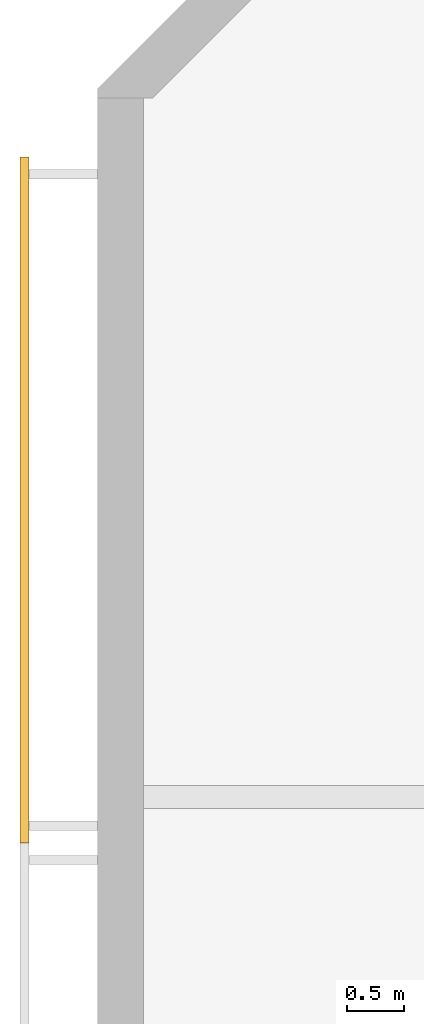
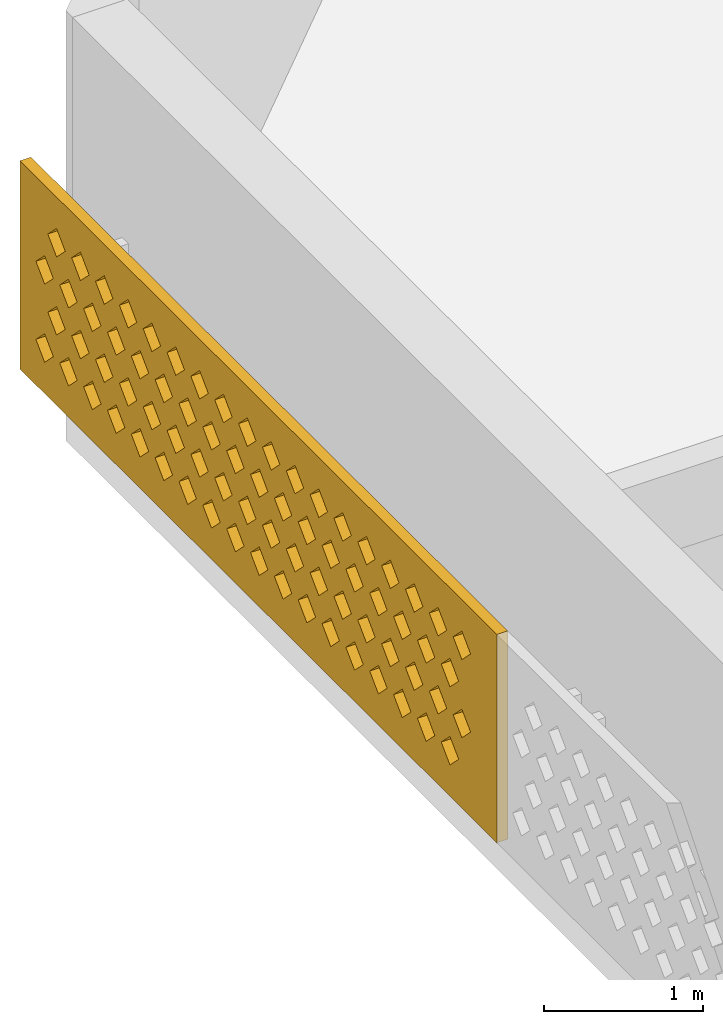
# One storey, part 12 of 18: 1 covering.
"""IFC4 building model written with IfcOpenShell, lengths in metres."""

from ifc_helpers import new_model, si_unit, direction, frame, origin, place, context, subcontext, project, spatial, polyline, outline, extrude, source, transform, mapped, material, material_profile, profile_set, type_object, element, save


model = new_model("IFC4")

# Units and contexts
model_context = context("Model", 3, precision=1e-05, world=origin(), true_north=direction((0.0, 1.0)))
body_context = subcontext(model_context, "Body", "Model", "MODEL_VIEW")
ifc_project = project(units=[si_unit("LENGTHUNIT", "METRE"), si_unit("AREAUNIT", "SQUARE_METRE"), si_unit("VOLUMEUNIT", "CUBIC_METRE"), si_unit("PLANEANGLEUNIT", "RADIAN"), si_unit("MASSUNIT", "GRAM", prefix="KILO")], contexts=[model_context])

# Site, building, storey
site_placement = place(None, origin())
site = spatial("IfcSite", under=ifc_project, at=site_placement, CompositionType="ELEMENT")
building_placement = place(site_placement, origin())
building = spatial("IfcBuilding", under=site, at=building_placement, Name="Poui Terraces", CompositionType="ELEMENT")
storey_placement = place(building_placement, frame((0.0, 0.0, 272.39990234375)))
storey = spatial("IfcBuildingStorey", under=building, at=storey_placement, Name="L75 CROWN", CompositionType="ELEMENT", Elevation=272.39990234375)

# Covering
ifc_material = material(Name="Terracotta screen", Category="masonry")
ifc_material_profile = material_profile(ifc_material, outline(polyline([(-3.0, -0.800048828125), (3.0, -0.800048828125), (3.0, 0.800048828125), (-3.0, 0.800048828125), (-3.0, -0.800048828125)]), holes=[polyline([(-2.800048828125, -0.449951171875), (-2.68994140625, -0.56005859375), (-2.580078125, -0.449951171875), (-2.68994140625, -0.340087890625), (-2.800048828125, -0.449951171875)]), polyline([(-2.5, -0.449951171875), (-2.389892578125, -0.56005859375), (-2.280029296875, -0.449951171875), (-2.389892578125, -0.340087890625), (-2.5, -0.449951171875)]), polyline([(-2.199951171875, -0.449951171875), (-2.090087890625, -0.56005859375), (-1.97998046875, -0.449951171875), (-2.090087890625, -0.340087890625), (-2.199951171875, -0.449951171875)]), polyline([(-1.89990234375, -0.449951171875), (-1.7900390625, -0.56005859375), (-1.679931640625, -0.449951171875), (-1.7900390625, -0.340087890625), (-1.89990234375, -0.449951171875)]), polyline([(-1.60009765625, -0.449951171875), (-1.489990234375, -0.56005859375), (-1.3798828125, -0.449951171875), (-1.489990234375, -0.340087890625), (-1.60009765625, -0.449951171875)]), polyline([(-1.300048828125, -0.449951171875), (-1.18994140625, -0.56005859375), (-1.080078125, -0.449951171875), (-1.18994140625, -0.340087890625), (-1.300048828125, -0.449951171875)]), polyline([(-1.0, -0.449951171875), (-0.889892578125, -0.56005859375), (-0.780029296875, -0.449951171875), (-0.889892578125, -0.340087890625), (-1.0, -0.449951171875)]), polyline([(-0.699951171875, -0.449951171875), (-0.590087890625, -0.56005859375), (-0.47998046875, -0.449951171875), (-0.590087890625, -0.340087890625), (-0.699951171875, -0.449951171875)]), polyline([(-0.39990234375, -0.449951171875), (-0.2900390625, -0.56005859375), (-0.179931640625, -0.449951171875), (-0.2900390625, -0.340087890625), (-0.39990234375, -0.449951171875)]), polyline([(-0.10009765625, -0.449951171875), (0.010009765625, -0.56005859375), (0.1201171875, -0.449951171875), (0.010009765625, -0.340087890625), (-0.10009765625, -0.449951171875)]), polyline([(0.199951171875, -0.449951171875), (0.31005859375, -0.56005859375), (0.419921875, -0.449951171875), (0.31005859375, -0.340087890625), (0.199951171875, -0.449951171875)]), polyline([(0.5, -0.449951171875), (0.610107421875, -0.56005859375), (0.719970703125, -0.449951171875), (0.610107421875, -0.340087890625), (0.5, -0.449951171875)]), polyline([(0.800048828125, -0.449951171875), (0.909912109375, -0.56005859375), (1.02001953125, -0.449951171875), (0.909912109375, -0.340087890625), (0.800048828125, -0.449951171875)]), polyline([(1.10009765625, -0.449951171875), (1.2099609375, -0.56005859375), (1.320068359375, -0.449951171875), (1.2099609375, -0.340087890625), (1.10009765625, -0.449951171875)]), polyline([(1.39990234375, -0.449951171875), (1.510009765625, -0.56005859375), (1.6201171875, -0.449951171875), (1.510009765625, -0.340087890625), (1.39990234375, -0.449951171875)]), polyline([(1.699951171875, -0.449951171875), (1.81005859375, -0.56005859375), (1.919921875, -0.449951171875), (1.81005859375, -0.340087890625), (1.699951171875, -0.449951171875)]), polyline([(2.0, -0.449951171875), (2.110107421875, -0.56005859375), (2.219970703125, -0.449951171875), (2.110107421875, -0.340087890625), (2.0, -0.449951171875)]), polyline([(2.300048828125, -0.449951171875), (2.409912109375, -0.56005859375), (2.52001953125, -0.449951171875), (2.409912109375, -0.340087890625), (2.300048828125, -0.449951171875)]), polyline([(-2.64990234375, -0.14990234375), (-2.5400390625, -0.260009765625), (-2.429931640625, -0.14990234375), (-2.5400390625, -0.0400390625), (-2.64990234375, -0.14990234375)]), polyline([(-2.35009765625, -0.14990234375), (-2.239990234375, -0.260009765625), (-2.1298828125, -0.14990234375), (-2.239990234375, -0.0400390625), (-2.35009765625, -0.14990234375)]), polyline([(-2.050048828125, -0.14990234375), (-1.93994140625, -0.260009765625), (-1.830078125, -0.14990234375), (-1.93994140625, -0.0400390625), (-2.050048828125, -0.14990234375)]), polyline([(-1.75, -0.14990234375), (-1.639892578125, -0.260009765625), (-1.530029296875, -0.14990234375), (-1.639892578125, -0.0400390625), (-1.75, -0.14990234375)]), polyline([(-1.449951171875, -0.14990234375), (-1.340087890625, -0.260009765625), (-1.22998046875, -0.14990234375), (-1.340087890625, -0.0400390625), (-1.449951171875, -0.14990234375)]), polyline([(-1.14990234375, -0.14990234375), (-1.0400390625, -0.260009765625), (-0.929931640625, -0.14990234375), (-1.0400390625, -0.0400390625), (-1.14990234375, -0.14990234375)]), polyline([(-0.85009765625, -0.14990234375), (-0.739990234375, -0.260009765625), (-0.6298828125, -0.14990234375), (-0.739990234375, -0.0400390625), (-0.85009765625, -0.14990234375)]), polyline([(-0.550048828125, -0.14990234375), (-0.43994140625, -0.260009765625), (-0.330078125, -0.14990234375), (-0.43994140625, -0.0400390625), (-0.550048828125, -0.14990234375)]), polyline([(-0.25, -0.14990234375), (-0.139892578125, -0.260009765625), (-0.030029296875, -0.14990234375), (-0.139892578125, -0.0400390625), (-0.25, -0.14990234375)]), polyline([(0.050048828125, -0.14990234375), (0.159912109375, -0.260009765625), (0.27001953125, -0.14990234375), (0.159912109375, -0.0400390625), (0.050048828125, -0.14990234375)]), polyline([(0.35009765625, -0.14990234375), (0.4599609375, -0.260009765625), (0.570068359375, -0.14990234375), (0.4599609375, -0.0400390625), (0.35009765625, -0.14990234375)]), polyline([(0.64990234375, -0.14990234375), (0.760009765625, -0.260009765625), (0.8701171875, -0.14990234375), (0.760009765625, -0.0400390625), (0.64990234375, -0.14990234375)]), polyline([(0.949951171875, -0.14990234375), (1.06005859375, -0.260009765625), (1.169921875, -0.14990234375), (1.06005859375, -0.0400390625), (0.949951171875, -0.14990234375)]), polyline([(1.25, -0.14990234375), (1.360107421875, -0.260009765625), (1.469970703125, -0.14990234375), (1.360107421875, -0.0400390625), (1.25, -0.14990234375)]), polyline([(1.550048828125, -0.14990234375), (1.659912109375, -0.260009765625), (1.77001953125, -0.14990234375), (1.659912109375, -0.0400390625), (1.550048828125, -0.14990234375)]), polyline([(1.85009765625, -0.14990234375), (1.9599609375, -0.260009765625), (2.070068359375, -0.14990234375), (1.9599609375, -0.0400390625), (1.85009765625, -0.14990234375)]), polyline([(2.14990234375, -0.14990234375), (2.260009765625, -0.260009765625), (2.3701171875, -0.14990234375), (2.260009765625, -0.0400390625), (2.14990234375, -0.14990234375)]), polyline([(2.449951171875, -0.14990234375), (2.56005859375, -0.260009765625), (2.669921875, -0.14990234375), (2.56005859375, -0.0400390625), (2.449951171875, -0.14990234375)]), polyline([(-2.800048828125, 0.14990234375), (-2.68994140625, 0.0400390625), (-2.580078125, 0.14990234375), (-2.68994140625, 0.260009765625), (-2.800048828125, 0.14990234375)]), polyline([(-2.5, 0.14990234375), (-2.389892578125, 0.0400390625), (-2.280029296875, 0.14990234375), (-2.389892578125, 0.260009765625), (-2.5, 0.14990234375)]), polyline([(-2.199951171875, 0.14990234375), (-2.090087890625, 0.0400390625), (-1.97998046875, 0.14990234375), (-2.090087890625, 0.260009765625), (-2.199951171875, 0.14990234375)]), polyline([(-1.89990234375, 0.14990234375), (-1.7900390625, 0.0400390625), (-1.679931640625, 0.14990234375), (-1.7900390625, 0.260009765625), (-1.89990234375, 0.14990234375)]), polyline([(-1.60009765625, 0.14990234375), (-1.489990234375, 0.0400390625), (-1.3798828125, 0.14990234375), (-1.489990234375, 0.260009765625), (-1.60009765625, 0.14990234375)]), polyline([(-1.300048828125, 0.14990234375), (-1.18994140625, 0.0400390625), (-1.080078125, 0.14990234375), (-1.18994140625, 0.260009765625), (-1.300048828125, 0.14990234375)]), polyline([(-1.0, 0.14990234375), (-0.889892578125, 0.0400390625), (-0.780029296875, 0.14990234375), (-0.889892578125, 0.260009765625), (-1.0, 0.14990234375)]), polyline([(-0.699951171875, 0.14990234375), (-0.590087890625, 0.0400390625), (-0.47998046875, 0.14990234375), (-0.590087890625, 0.260009765625), (-0.699951171875, 0.14990234375)]), polyline([(-0.39990234375, 0.14990234375), (-0.2900390625, 0.0400390625), (-0.179931640625, 0.14990234375), (-0.2900390625, 0.260009765625), (-0.39990234375, 0.14990234375)]), polyline([(-0.10009765625, 0.14990234375), (0.010009765625, 0.0400390625), (0.1201171875, 0.14990234375), (0.010009765625, 0.260009765625), (-0.10009765625, 0.14990234375)]), polyline([(0.199951171875, 0.14990234375), (0.31005859375, 0.0400390625), (0.419921875, 0.14990234375), (0.31005859375, 0.260009765625), (0.199951171875, 0.14990234375)]), polyline([(0.5, 0.14990234375), (0.610107421875, 0.0400390625), (0.719970703125, 0.14990234375), (0.610107421875, 0.260009765625), (0.5, 0.14990234375)]), polyline([(0.800048828125, 0.14990234375), (0.909912109375, 0.0400390625), (1.02001953125, 0.14990234375), (0.909912109375, 0.260009765625), (0.800048828125, 0.14990234375)]), polyline([(1.10009765625, 0.14990234375), (1.2099609375, 0.0400390625), (1.320068359375, 0.14990234375), (1.2099609375, 0.260009765625), (1.10009765625, 0.14990234375)]), polyline([(1.39990234375, 0.14990234375), (1.510009765625, 0.0400390625), (1.6201171875, 0.14990234375), (1.510009765625, 0.260009765625), (1.39990234375, 0.14990234375)]), polyline([(1.699951171875, 0.14990234375), (1.81005859375, 0.0400390625), (1.919921875, 0.14990234375), (1.81005859375, 0.260009765625), (1.699951171875, 0.14990234375)]), polyline([(2.0, 0.14990234375), (2.110107421875, 0.0400390625), (2.219970703125, 0.14990234375), (2.110107421875, 0.260009765625), (2.0, 0.14990234375)]), polyline([(2.300048828125, 0.14990234375), (2.409912109375, 0.0400390625), (2.52001953125, 0.14990234375), (2.409912109375, 0.260009765625), (2.300048828125, 0.14990234375)]), polyline([(-2.64990234375, 0.449951171875), (-2.5400390625, 0.340087890625), (-2.429931640625, 0.449951171875), (-2.5400390625, 0.56005859375), (-2.64990234375, 0.449951171875)]), polyline([(-2.35009765625, 0.449951171875), (-2.239990234375, 0.340087890625), (-2.1298828125, 0.449951171875), (-2.239990234375, 0.56005859375), (-2.35009765625, 0.449951171875)]), polyline([(-2.050048828125, 0.449951171875), (-1.93994140625, 0.340087890625), (-1.830078125, 0.449951171875), (-1.93994140625, 0.56005859375), (-2.050048828125, 0.449951171875)]), polyline([(-1.75, 0.449951171875), (-1.639892578125, 0.340087890625), (-1.530029296875, 0.449951171875), (-1.639892578125, 0.56005859375), (-1.75, 0.449951171875)]), polyline([(-1.449951171875, 0.449951171875), (-1.340087890625, 0.340087890625), (-1.22998046875, 0.449951171875), (-1.340087890625, 0.56005859375), (-1.449951171875, 0.449951171875)]), polyline([(-1.14990234375, 0.449951171875), (-1.0400390625, 0.340087890625), (-0.929931640625, 0.449951171875), (-1.0400390625, 0.56005859375), (-1.14990234375, 0.449951171875)]), polyline([(-0.85009765625, 0.449951171875), (-0.739990234375, 0.340087890625), (-0.6298828125, 0.449951171875), (-0.739990234375, 0.56005859375), (-0.85009765625, 0.449951171875)]), polyline([(-0.550048828125, 0.449951171875), (-0.43994140625, 0.340087890625), (-0.330078125, 0.449951171875), (-0.43994140625, 0.56005859375), (-0.550048828125, 0.449951171875)]), polyline([(-0.25, 0.449951171875), (-0.139892578125, 0.340087890625), (-0.030029296875, 0.449951171875), (-0.139892578125, 0.56005859375), (-0.25, 0.449951171875)]), polyline([(0.050048828125, 0.449951171875), (0.159912109375, 0.340087890625), (0.27001953125, 0.449951171875), (0.159912109375, 0.56005859375), (0.050048828125, 0.449951171875)]), polyline([(0.35009765625, 0.449951171875), (0.4599609375, 0.340087890625), (0.570068359375, 0.449951171875), (0.4599609375, 0.56005859375), (0.35009765625, 0.449951171875)]), polyline([(0.64990234375, 0.449951171875), (0.760009765625, 0.340087890625), (0.8701171875, 0.449951171875), (0.760009765625, 0.56005859375), (0.64990234375, 0.449951171875)]), polyline([(0.949951171875, 0.449951171875), (1.06005859375, 0.340087890625), (1.169921875, 0.449951171875), (1.06005859375, 0.56005859375), (0.949951171875, 0.449951171875)]), polyline([(1.25, 0.449951171875), (1.360107421875, 0.340087890625), (1.469970703125, 0.449951171875), (1.360107421875, 0.56005859375), (1.25, 0.449951171875)]), polyline([(1.550048828125, 0.449951171875), (1.659912109375, 0.340087890625), (1.77001953125, 0.449951171875), (1.659912109375, 0.56005859375), (1.550048828125, 0.449951171875)]), polyline([(1.85009765625, 0.449951171875), (1.9599609375, 0.340087890625), (2.070068359375, 0.449951171875), (1.9599609375, 0.56005859375), (1.85009765625, 0.449951171875)]), polyline([(2.14990234375, 0.449951171875), (2.260009765625, 0.340087890625), (2.3701171875, 0.449951171875), (2.260009765625, 0.56005859375), (2.14990234375, 0.449951171875)]), polyline([(2.449951171875, 0.449951171875), (2.56005859375, 0.340087890625), (2.669921875, 0.449951171875), (2.56005859375, 0.56005859375), (2.449951171875, 0.449951171875)])]), Name="TERRACOTTA SOLAR SCREEN 6000X1600")
ifc_profile_set = profile_set([ifc_material_profile], Name="Terracotta screen")
covering_type = type_object("IfcCoveringType", Name="TERRACOTTA SOLAR SCREEN 6000X1600", PredefinedType="CLADDING", material=ifc_profile_set)
shared_shape = source(origin(), body_context, "Body", "SweptSolid", [
    extrude(outline(polyline([(-3.0, -0.800048828125), (3.0, -0.800048828125), (3.0, 0.800048828125), (-3.0, 0.800048828125), (-3.0, -0.800048828125)]), holes=[polyline([(-2.800048828125, -0.449951171875), (-2.68994140625, -0.56005859375), (-2.580078125, -0.449951171875), (-2.68994140625, -0.340087890625), (-2.800048828125, -0.449951171875)]), polyline([(-2.5, -0.449951171875), (-2.389892578125, -0.56005859375), (-2.280029296875, -0.449951171875), (-2.389892578125, -0.340087890625), (-2.5, -0.449951171875)]), polyline([(-2.199951171875, -0.449951171875), (-2.090087890625, -0.56005859375), (-1.97998046875, -0.449951171875), (-2.090087890625, -0.340087890625), (-2.199951171875, -0.449951171875)]), polyline([(-1.89990234375, -0.449951171875), (-1.7900390625, -0.56005859375), (-1.679931640625, -0.449951171875), (-1.7900390625, -0.340087890625), (-1.89990234375, -0.449951171875)]), polyline([(-1.60009765625, -0.449951171875), (-1.489990234375, -0.56005859375), (-1.3798828125, -0.449951171875), (-1.489990234375, -0.340087890625), (-1.60009765625, -0.449951171875)]), polyline([(-1.300048828125, -0.449951171875), (-1.18994140625, -0.56005859375), (-1.080078125, -0.449951171875), (-1.18994140625, -0.340087890625), (-1.300048828125, -0.449951171875)]), polyline([(-1.0, -0.449951171875), (-0.889892578125, -0.56005859375), (-0.780029296875, -0.449951171875), (-0.889892578125, -0.340087890625), (-1.0, -0.449951171875)]), polyline([(-0.699951171875, -0.449951171875), (-0.590087890625, -0.56005859375), (-0.47998046875, -0.449951171875), (-0.590087890625, -0.340087890625), (-0.699951171875, -0.449951171875)]), polyline([(-0.39990234375, -0.449951171875), (-0.2900390625, -0.56005859375), (-0.179931640625, -0.449951171875), (-0.2900390625, -0.340087890625), (-0.39990234375, -0.449951171875)]), polyline([(-0.10009765625, -0.449951171875), (0.010009765625, -0.56005859375), (0.1201171875, -0.449951171875), (0.010009765625, -0.340087890625), (-0.10009765625, -0.449951171875)]), polyline([(0.199951171875, -0.449951171875), (0.31005859375, -0.56005859375), (0.419921875, -0.449951171875), (0.31005859375, -0.340087890625), (0.199951171875, -0.449951171875)]), polyline([(0.5, -0.449951171875), (0.610107421875, -0.56005859375), (0.719970703125, -0.449951171875), (0.610107421875, -0.340087890625), (0.5, -0.449951171875)]), polyline([(0.800048828125, -0.449951171875), (0.909912109375, -0.56005859375), (1.02001953125, -0.449951171875), (0.909912109375, -0.340087890625), (0.800048828125, -0.449951171875)]), polyline([(1.10009765625, -0.449951171875), (1.2099609375, -0.56005859375), (1.320068359375, -0.449951171875), (1.2099609375, -0.340087890625), (1.10009765625, -0.449951171875)]), polyline([(1.39990234375, -0.449951171875), (1.510009765625, -0.56005859375), (1.6201171875, -0.449951171875), (1.510009765625, -0.340087890625), (1.39990234375, -0.449951171875)]), polyline([(1.699951171875, -0.449951171875), (1.81005859375, -0.56005859375), (1.919921875, -0.449951171875), (1.81005859375, -0.340087890625), (1.699951171875, -0.449951171875)]), polyline([(2.0, -0.449951171875), (2.110107421875, -0.56005859375), (2.219970703125, -0.449951171875), (2.110107421875, -0.340087890625), (2.0, -0.449951171875)]), polyline([(2.300048828125, -0.449951171875), (2.409912109375, -0.56005859375), (2.52001953125, -0.449951171875), (2.409912109375, -0.340087890625), (2.300048828125, -0.449951171875)]), polyline([(-2.64990234375, -0.14990234375), (-2.5400390625, -0.260009765625), (-2.429931640625, -0.14990234375), (-2.5400390625, -0.0400390625), (-2.64990234375, -0.14990234375)]), polyline([(-2.35009765625, -0.14990234375), (-2.239990234375, -0.260009765625), (-2.1298828125, -0.14990234375), (-2.239990234375, -0.0400390625), (-2.35009765625, -0.14990234375)]), polyline([(-2.050048828125, -0.14990234375), (-1.93994140625, -0.260009765625), (-1.830078125, -0.14990234375), (-1.93994140625, -0.0400390625), (-2.050048828125, -0.14990234375)]), polyline([(-1.75, -0.14990234375), (-1.639892578125, -0.260009765625), (-1.530029296875, -0.14990234375), (-1.639892578125, -0.0400390625), (-1.75, -0.14990234375)]), polyline([(-1.449951171875, -0.14990234375), (-1.340087890625, -0.260009765625), (-1.22998046875, -0.14990234375), (-1.340087890625, -0.0400390625), (-1.449951171875, -0.14990234375)]), polyline([(-1.14990234375, -0.14990234375), (-1.0400390625, -0.260009765625), (-0.929931640625, -0.14990234375), (-1.0400390625, -0.0400390625), (-1.14990234375, -0.14990234375)]), polyline([(-0.85009765625, -0.14990234375), (-0.739990234375, -0.260009765625), (-0.6298828125, -0.14990234375), (-0.739990234375, -0.0400390625), (-0.85009765625, -0.14990234375)]), polyline([(-0.550048828125, -0.14990234375), (-0.43994140625, -0.260009765625), (-0.330078125, -0.14990234375), (-0.43994140625, -0.0400390625), (-0.550048828125, -0.14990234375)]), polyline([(-0.25, -0.14990234375), (-0.139892578125, -0.260009765625), (-0.030029296875, -0.14990234375), (-0.139892578125, -0.0400390625), (-0.25, -0.14990234375)]), polyline([(0.050048828125, -0.14990234375), (0.159912109375, -0.260009765625), (0.27001953125, -0.14990234375), (0.159912109375, -0.0400390625), (0.050048828125, -0.14990234375)]), polyline([(0.35009765625, -0.14990234375), (0.4599609375, -0.260009765625), (0.570068359375, -0.14990234375), (0.4599609375, -0.0400390625), (0.35009765625, -0.14990234375)]), polyline([(0.64990234375, -0.14990234375), (0.760009765625, -0.260009765625), (0.8701171875, -0.14990234375), (0.760009765625, -0.0400390625), (0.64990234375, -0.14990234375)]), polyline([(0.949951171875, -0.14990234375), (1.06005859375, -0.260009765625), (1.169921875, -0.14990234375), (1.06005859375, -0.0400390625), (0.949951171875, -0.14990234375)]), polyline([(1.25, -0.14990234375), (1.360107421875, -0.260009765625), (1.469970703125, -0.14990234375), (1.360107421875, -0.0400390625), (1.25, -0.14990234375)]), polyline([(1.550048828125, -0.14990234375), (1.659912109375, -0.260009765625), (1.77001953125, -0.14990234375), (1.659912109375, -0.0400390625), (1.550048828125, -0.14990234375)]), polyline([(1.85009765625, -0.14990234375), (1.9599609375, -0.260009765625), (2.070068359375, -0.14990234375), (1.9599609375, -0.0400390625), (1.85009765625, -0.14990234375)]), polyline([(2.14990234375, -0.14990234375), (2.260009765625, -0.260009765625), (2.3701171875, -0.14990234375), (2.260009765625, -0.0400390625), (2.14990234375, -0.14990234375)]), polyline([(2.449951171875, -0.14990234375), (2.56005859375, -0.260009765625), (2.669921875, -0.14990234375), (2.56005859375, -0.0400390625), (2.449951171875, -0.14990234375)]), polyline([(-2.800048828125, 0.14990234375), (-2.68994140625, 0.0400390625), (-2.580078125, 0.14990234375), (-2.68994140625, 0.260009765625), (-2.800048828125, 0.14990234375)]), polyline([(-2.5, 0.14990234375), (-2.389892578125, 0.0400390625), (-2.280029296875, 0.14990234375), (-2.389892578125, 0.260009765625), (-2.5, 0.14990234375)]), polyline([(-2.199951171875, 0.14990234375), (-2.090087890625, 0.0400390625), (-1.97998046875, 0.14990234375), (-2.090087890625, 0.260009765625), (-2.199951171875, 0.14990234375)]), polyline([(-1.89990234375, 0.14990234375), (-1.7900390625, 0.0400390625), (-1.679931640625, 0.14990234375), (-1.7900390625, 0.260009765625), (-1.89990234375, 0.14990234375)]), polyline([(-1.60009765625, 0.14990234375), (-1.489990234375, 0.0400390625), (-1.3798828125, 0.14990234375), (-1.489990234375, 0.260009765625), (-1.60009765625, 0.14990234375)]), polyline([(-1.300048828125, 0.14990234375), (-1.18994140625, 0.0400390625), (-1.080078125, 0.14990234375), (-1.18994140625, 0.260009765625), (-1.300048828125, 0.14990234375)]), polyline([(-1.0, 0.14990234375), (-0.889892578125, 0.0400390625), (-0.780029296875, 0.14990234375), (-0.889892578125, 0.260009765625), (-1.0, 0.14990234375)]), polyline([(-0.699951171875, 0.14990234375), (-0.590087890625, 0.0400390625), (-0.47998046875, 0.14990234375), (-0.590087890625, 0.260009765625), (-0.699951171875, 0.14990234375)]), polyline([(-0.39990234375, 0.14990234375), (-0.2900390625, 0.0400390625), (-0.179931640625, 0.14990234375), (-0.2900390625, 0.260009765625), (-0.39990234375, 0.14990234375)]), polyline([(-0.10009765625, 0.14990234375), (0.010009765625, 0.0400390625), (0.1201171875, 0.14990234375), (0.010009765625, 0.260009765625), (-0.10009765625, 0.14990234375)]), polyline([(0.199951171875, 0.14990234375), (0.31005859375, 0.0400390625), (0.419921875, 0.14990234375), (0.31005859375, 0.260009765625), (0.199951171875, 0.14990234375)]), polyline([(0.5, 0.14990234375), (0.610107421875, 0.0400390625), (0.719970703125, 0.14990234375), (0.610107421875, 0.260009765625), (0.5, 0.14990234375)]), polyline([(0.800048828125, 0.14990234375), (0.909912109375, 0.0400390625), (1.02001953125, 0.14990234375), (0.909912109375, 0.260009765625), (0.800048828125, 0.14990234375)]), polyline([(1.10009765625, 0.14990234375), (1.2099609375, 0.0400390625), (1.320068359375, 0.14990234375), (1.2099609375, 0.260009765625), (1.10009765625, 0.14990234375)]), polyline([(1.39990234375, 0.14990234375), (1.510009765625, 0.0400390625), (1.6201171875, 0.14990234375), (1.510009765625, 0.260009765625), (1.39990234375, 0.14990234375)]), polyline([(1.699951171875, 0.14990234375), (1.81005859375, 0.0400390625), (1.919921875, 0.14990234375), (1.81005859375, 0.260009765625), (1.699951171875, 0.14990234375)]), polyline([(2.0, 0.14990234375), (2.110107421875, 0.0400390625), (2.219970703125, 0.14990234375), (2.110107421875, 0.260009765625), (2.0, 0.14990234375)]), polyline([(2.300048828125, 0.14990234375), (2.409912109375, 0.0400390625), (2.52001953125, 0.14990234375), (2.409912109375, 0.260009765625), (2.300048828125, 0.14990234375)]), polyline([(-2.64990234375, 0.449951171875), (-2.5400390625, 0.340087890625), (-2.429931640625, 0.449951171875), (-2.5400390625, 0.56005859375), (-2.64990234375, 0.449951171875)]), polyline([(-2.35009765625, 0.449951171875), (-2.239990234375, 0.340087890625), (-2.1298828125, 0.449951171875), (-2.239990234375, 0.56005859375), (-2.35009765625, 0.449951171875)]), polyline([(-2.050048828125, 0.449951171875), (-1.93994140625, 0.340087890625), (-1.830078125, 0.449951171875), (-1.93994140625, 0.56005859375), (-2.050048828125, 0.449951171875)]), polyline([(-1.75, 0.449951171875), (-1.639892578125, 0.340087890625), (-1.530029296875, 0.449951171875), (-1.639892578125, 0.56005859375), (-1.75, 0.449951171875)]), polyline([(-1.449951171875, 0.449951171875), (-1.340087890625, 0.340087890625), (-1.22998046875, 0.449951171875), (-1.340087890625, 0.56005859375), (-1.449951171875, 0.449951171875)]), polyline([(-1.14990234375, 0.449951171875), (-1.0400390625, 0.340087890625), (-0.929931640625, 0.449951171875), (-1.0400390625, 0.56005859375), (-1.14990234375, 0.449951171875)]), polyline([(-0.85009765625, 0.449951171875), (-0.739990234375, 0.340087890625), (-0.6298828125, 0.449951171875), (-0.739990234375, 0.56005859375), (-0.85009765625, 0.449951171875)]), polyline([(-0.550048828125, 0.449951171875), (-0.43994140625, 0.340087890625), (-0.330078125, 0.449951171875), (-0.43994140625, 0.56005859375), (-0.550048828125, 0.449951171875)]), polyline([(-0.25, 0.449951171875), (-0.139892578125, 0.340087890625), (-0.030029296875, 0.449951171875), (-0.139892578125, 0.56005859375), (-0.25, 0.449951171875)]), polyline([(0.050048828125, 0.449951171875), (0.159912109375, 0.340087890625), (0.27001953125, 0.449951171875), (0.159912109375, 0.56005859375), (0.050048828125, 0.449951171875)]), polyline([(0.35009765625, 0.449951171875), (0.4599609375, 0.340087890625), (0.570068359375, 0.449951171875), (0.4599609375, 0.56005859375), (0.35009765625, 0.449951171875)]), polyline([(0.64990234375, 0.449951171875), (0.760009765625, 0.340087890625), (0.8701171875, 0.449951171875), (0.760009765625, 0.56005859375), (0.64990234375, 0.449951171875)]), polyline([(0.949951171875, 0.449951171875), (1.06005859375, 0.340087890625), (1.169921875, 0.449951171875), (1.06005859375, 0.56005859375), (0.949951171875, 0.449951171875)]), polyline([(1.25, 0.449951171875), (1.360107421875, 0.340087890625), (1.469970703125, 0.449951171875), (1.360107421875, 0.56005859375), (1.25, 0.449951171875)]), polyline([(1.550048828125, 0.449951171875), (1.659912109375, 0.340087890625), (1.77001953125, 0.449951171875), (1.659912109375, 0.56005859375), (1.550048828125, 0.449951171875)]), polyline([(1.85009765625, 0.449951171875), (1.9599609375, 0.340087890625), (2.070068359375, 0.449951171875), (1.9599609375, 0.56005859375), (1.85009765625, 0.449951171875)]), polyline([(2.14990234375, 0.449951171875), (2.260009765625, 0.340087890625), (2.3701171875, 0.449951171875), (2.260009765625, 0.56005859375), (2.14990234375, 0.449951171875)]), polyline([(2.449951171875, 0.449951171875), (2.56005859375, 0.340087890625), (2.669921875, 0.449951171875), (2.56005859375, 0.56005859375), (2.449951171875, 0.449951171875)])]), origin(), (0.0, 0.0, 1.0), 0.079833984375),
])
covering_placement = place(storey_placement, frame((17.199951171875, 33.0, 1.7001953125), z_axis=(-1.0, 0.0, 0.0), x_axis=(0.0, -1.0, 0.0)))
element("IfcCovering", 1, at=covering_placement, inside=storey, type_object=covering_type, Name="SOLAR SCREEN", PredefinedType="CLADDING", context=body_context, shape_type="MappedRepresentation", body=[
    mapped(shared_shape, transform((0.0, 0.0, 0.0))),
])

save(model, "model.ifc")
